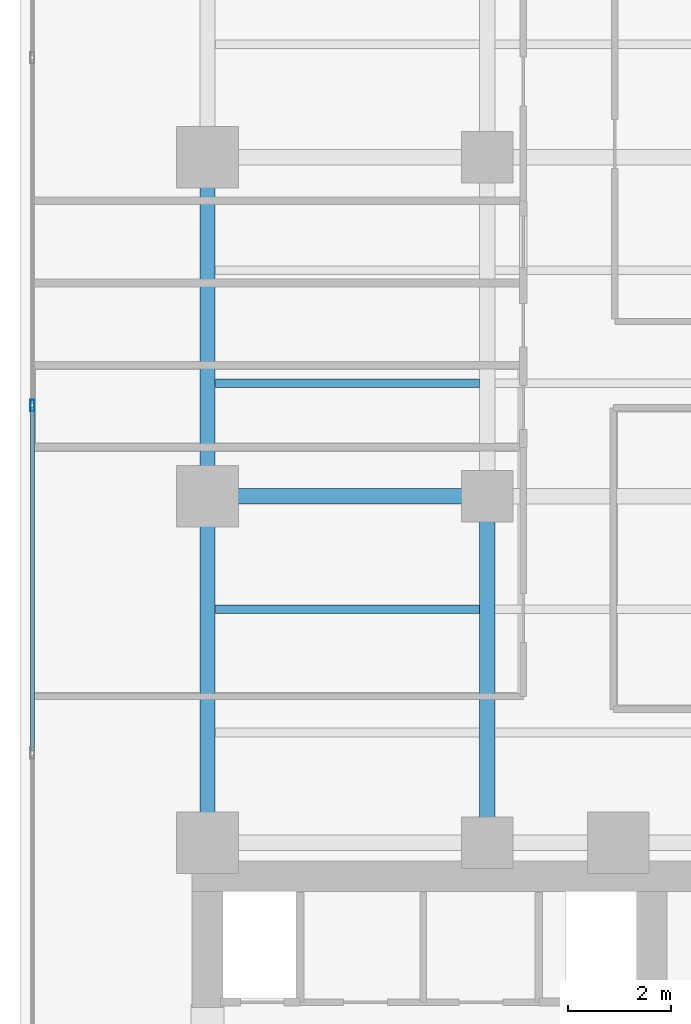
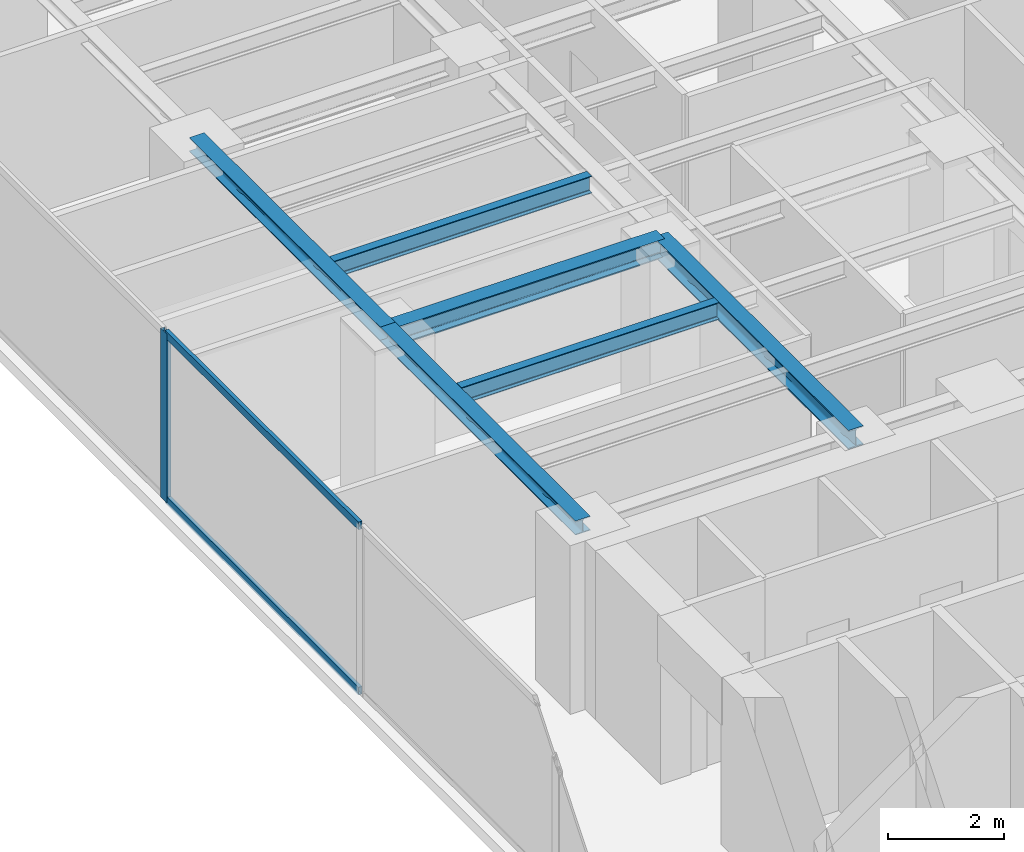
# One storey, part 8 of 27: 6 beams, 3 members, 1 element without a shape of its own.
"""IFC4 building model written with IfcOpenShell, lengths in metres."""

from ifc_helpers import new_model, si_unit, direction, frame, origin, origin_with_axes, origin_2d, place, context, subcontext, project, spatial, hollow_rectangle, i_section, extrude, source, transform, mapped, material, layer, layer_set, material_profile, profile_set, type_object, element, aggregate, save


model = new_model("IFC4")

# Units and contexts
model_context = context("Model", 3, precision=1e-05, world=origin(), true_north=direction((0.0, 1.0)))
body_context = subcontext(model_context, "Body", "Model", "MODEL_VIEW")
ifc_project = project(units=[si_unit("LENGTHUNIT", "METRE"), si_unit("AREAUNIT", "SQUARE_METRE"), si_unit("VOLUMEUNIT", "CUBIC_METRE"), si_unit("PLANEANGLEUNIT", "RADIAN"), si_unit("MASSUNIT", "GRAM", prefix="KILO")], contexts=[model_context])

# Site, building, storey
site_placement = place(None, origin())
site = spatial("IfcSite", under=ifc_project, at=site_placement, CompositionType="ELEMENT")
building_placement = place(site_placement, origin())
building = spatial("IfcBuilding", under=site, at=building_placement, Name="Kolvaren Waterfront Exchange", CompositionType="ELEMENT")
storey_placement = place(building_placement, frame((0.0, 0.0, 191.800048828125)))
storey = spatial("IfcBuildingStorey", under=building, at=storey_placement, Name="L49", CompositionType="ELEMENT", Elevation=191.800048828125)

# Beams
ifc_material_1 = material(Name="Steel S355", Category="steel")
ifc_material_profile_1 = material_profile(ifc_material_1, i_section(OverallWidth=0.300048828125, OverallDepth=0.300048828125, WebThickness=0.010986328125, FlangeThickness=0.01904296875, FilletRadius=0.027099609375, at=origin_2d()), Name="HEB300")
ifc_profile_set_1 = profile_set([ifc_material_profile_1], Name="Steel S355")
beam_type_1 = type_object("IfcBeamType", Name="STR-BM-HEB300", PredefinedType="SPANDREL", material=ifc_profile_set_1)
beam_1_placement = place(storey_placement, frame((7.449951171875, 24.449951171875, 3.409912109375), z_axis=(0.0, 1.0, 0.0), x_axis=(-1.0, 0.0, 0.0)))
element("IfcBeam", 1, at=beam_1_placement, inside=storey, type_object=beam_type_1, Name="L49 north-arm edge beam 1", PredefinedType="SPANDREL", context=body_context, shape_type="SweptSolid", body=[
    extrude(i_section(OverallWidth=0.300048828125, OverallDepth=0.300048828125, WebThickness=0.010986328125, FlangeThickness=0.01904296875, FilletRadius=0.027099609375, at=origin_2d()), origin(), (0.0, 0.0, 1.0), 6.75),
])
beam_2_placement = place(storey_placement, frame((7.449951171875, 31.199951171875, 3.409912109375), z_axis=(0.0, 1.0, 0.0), x_axis=(-1.0, 0.0, 0.0)))
element("IfcBeam", 2, at=beam_2_placement, inside=storey, type_object=beam_type_1, Name="L49 north-arm edge beam 2", PredefinedType="SPANDREL", context=body_context, shape_type="SweptSolid", body=[
    extrude(i_section(OverallWidth=0.300048828125, OverallDepth=0.300048828125, WebThickness=0.010986328125, FlangeThickness=0.01904296875, FilletRadius=0.027099609375, at=origin_2d()), origin(), (0.0, 0.0, 1.0), 6.60009765625),
])
ifc_material_profile_2 = material_profile(ifc_material_1, i_section(OverallWidth=0.300048828125, OverallDepth=0.39990234375, WebThickness=0.013427734375, FlangeThickness=0.02392578125, FilletRadius=0.027099609375, at=origin_2d()), Name="HEB400")
ifc_profile_set_2 = profile_set([ifc_material_profile_2], Name="Steel S355")
beam_type_2 = type_object("IfcBeamType", Name="STR-BM-HEB400", PredefinedType="BEAM", material=ifc_profile_set_2)
beam_3_placement = place(storey_placement, frame((7.449951171875, 31.199951171875, 3.35986328125), z_axis=(1.0, 0.0, 0.0), x_axis=(0.0, 1.0, 0.0)))
element("IfcBeam", 3, at=beam_3_placement, inside=storey, type_object=beam_type_2, Name="L49 north-arm girder 2A", PredefinedType="BEAM", context=body_context, shape_type="SweptSolid", body=[
    extrude(i_section(OverallWidth=0.300048828125, OverallDepth=0.39990234375, WebThickness=0.013427734375, FlangeThickness=0.02392578125, FilletRadius=0.027099609375, at=origin_2d()), origin(), (0.0, 0.0, 1.0), 5.449951171875),
])
beam_4_placement = place(storey_placement, frame((12.89990234375, 24.449951171875, 3.35986328125), z_axis=(0.0, 1.0, 0.0), x_axis=(-1.0, 0.0, 0.0)))
element("IfcBeam", 4, at=beam_4_placement, inside=storey, type_object=beam_type_2, Name="L49 north-arm edge beam 1", PredefinedType="BEAM", context=body_context, shape_type="SweptSolid", body=[
    extrude(i_section(OverallWidth=0.300048828125, OverallDepth=0.39990234375, WebThickness=0.013427734375, FlangeThickness=0.02392578125, FilletRadius=0.027099609375, at=origin_2d()), origin(), (0.0, 0.0, 1.0), 6.75),
])
ifc_material_profile_3 = material_profile(ifc_material_1, i_section(OverallWidth=0.169921875, OverallDepth=0.360107421875, WebThickness=0.008056640625, FlangeThickness=0.0126953125, FilletRadius=0.01806640625, at=origin_2d()), Name="IPE360")
ifc_profile_set_3 = profile_set([ifc_material_profile_3], Name="Steel S355")
beam_type_3 = type_object("IfcBeamType", Name="STR-BM-IPE360", PredefinedType="JOIST", material=ifc_profile_set_3)
for number, where, z_axis, x_axis, name in (
    (5, (7.60205078125, 29.0, 3.3798828125), (1.0, 0.0, 0.0), (0.0, 1.0, 0.0), "L49 north-arm composite joist 2A"),
    (6, (7.60205078125, 33.39990234375, 3.3798828125), (1.0, 0.0, 0.0), (0.0, 1.0, 0.0), "L49 north-arm composite joist 3A"),
):
    element("IfcBeam", number, at=place(storey_placement, frame(where, z_axis=z_axis, x_axis=x_axis)), inside=storey, type_object=beam_type_3, Name=name, PredefinedType="JOIST", context=body_context, shape_type="SweptSolid", body=[
        extrude(i_section(OverallWidth=0.169921875, OverallDepth=0.360107421875, WebThickness=0.008056640625, FlangeThickness=0.0126953125, FilletRadius=0.01806640625, at=origin_2d()), origin(), (0.0, 0.0, 1.0), 5.14599609375),
    ])

# Curtain wall, members
ifc_material_2 = material(Name="Anodised aluminium 6063-T6", Category="aluminium")
ifc_layer = layer(ifc_material_2, 0.219970703125, Name="Anodised aluminium 6063-T6")
ifc_layer_set = layer_set([ifc_layer], Name="Anodised aluminium 6063-T6")
curtain_wall_type = type_object("IfcCurtainWallType", Name="ARC-CW-SYS2", PredefinedType="USERDEFINED", material=ifc_layer_set)
curtain_wall_placement = place(storey_placement, origin())
curtain_wall = element("IfcCurtainWall", 7, at=curtain_wall_placement, inside=storey, type_object=curtain_wall_type, Name="L49 stick curtain wall CW2 (CW-L49-W)", ObjectType="STICK CURTAIN WALL", PredefinedType="USERDEFINED")
ifc_material_profile_4 = material_profile(ifc_material_2, hollow_rectangle(XDim=0.080078125, YDim=0.219970703125, WallThickness=0.0048828125, at=origin_2d()), Name="ALU-MUL-220x80x5")
ifc_profile_set_4 = profile_set([ifc_material_profile_4], Name="Anodised aluminium 6063-T6")
member_type_1 = type_object("IfcMemberType", Name="ARC-CWM-220", PredefinedType="MULLION", material=ifc_profile_set_4)
shared_shape_1 = source(origin_with_axes(), body_context, "Body", "SweptSolid", [
    extrude(hollow_rectangle(XDim=0.080078125, YDim=0.219970703125, WallThickness=0.0048828125, at=origin_2d()), origin(), (0.0, 0.0, 1.0), 3.56005859375),
])
member_1_placement = place(storey_placement, frame((4.0400390625, 32.966552734375, 0.0), z_axis=(0.0, 0.0, 1.0), x_axis=(-1.0, 0.0, 0.0)))
member_1 = element("IfcMember", 8, at=member_1_placement, type_object=member_type_1, Name="CW2 mullion 5", PredefinedType="MULLION", context=body_context, shape_type="MappedRepresentation", body=[
    mapped(shared_shape_1, transform((0.0, 0.0, 0.0), x_axis=(1.0, 0.0, 0.0), y_axis=(0.0, 1.0, 0.0), z_axis=(0.0, 0.0, 1.0), scale=1.0)),
])
ifc_material_profile_5 = material_profile(ifc_material_2, hollow_rectangle(XDim=0.074951171875, YDim=0.159912109375, WallThickness=0.00439453125, at=origin_2d()), Name="ALU-TRN-160x75x4.5")
ifc_profile_set_5 = profile_set([ifc_material_profile_5], Name="Anodised aluminium 6063-T6")
member_type_2 = type_object("IfcMemberType", Name="ARC-CWT-160", PredefinedType="USERDEFINED", material=ifc_profile_set_5)
shared_shape_2 = source(origin_with_axes(), body_context, "Body", "SweptSolid", [
    extrude(hollow_rectangle(XDim=0.074951171875, YDim=0.159912109375, WallThickness=0.00439453125, at=origin_2d()), origin(), (0.0, 0.0, 1.0), 6.686767578125),
])
member_2_placement = place(storey_placement, frame((4.0400390625, 26.239990234375, 0.037353515625), z_axis=(0.0, 1.0, 0.0), x_axis=(-1.0, 0.0, 0.0)))
member_2 = element("IfcMember", 9, at=member_2_placement, type_object=member_type_2, Name="CW2 transom 4.1", ObjectType="TRANSOM", PredefinedType="USERDEFINED", context=body_context, shape_type="MappedRepresentation", body=[
    mapped(shared_shape_2, transform((0.0, 0.0, 0.0), x_axis=(1.0, 0.0, 0.0), y_axis=(0.0, 1.0, 0.0), z_axis=(0.0, 0.0, 1.0), scale=1.0)),
])
member_3_placement = place(storey_placement, frame((4.0400390625, 26.239990234375, 3.5224609375), z_axis=(0.0, 1.0, 0.0), x_axis=(-1.0, 0.0, 0.0)))
member_3 = element("IfcMember", 10, at=member_3_placement, type_object=member_type_2, Name="CW2 transom 4.2", ObjectType="TRANSOM", PredefinedType="USERDEFINED", context=body_context, shape_type="MappedRepresentation", body=[
    mapped(shared_shape_2, transform((0.0, 0.0, 0.0), x_axis=(1.0, 0.0, 0.0), y_axis=(0.0, 1.0, 0.0), z_axis=(0.0, 0.0, 1.0), scale=1.0)),
])
aggregate(curtain_wall, [member_1, member_2, member_3])

save(model, "model.ifc")
